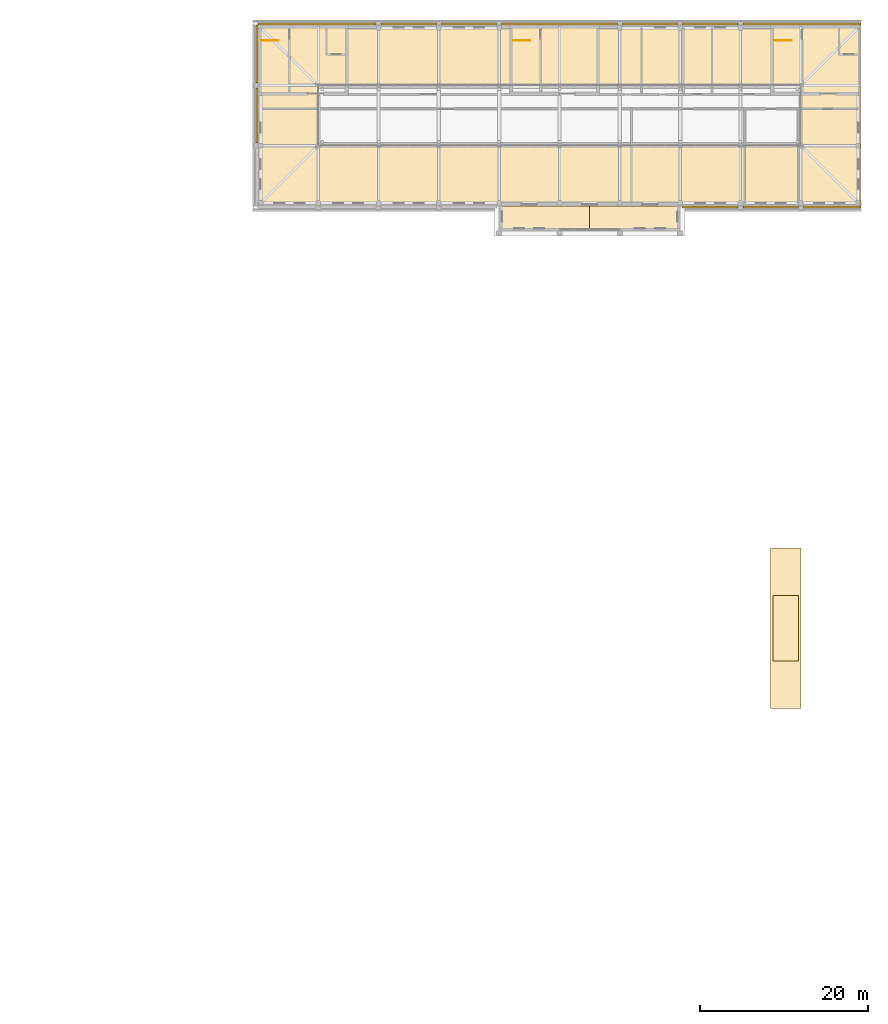
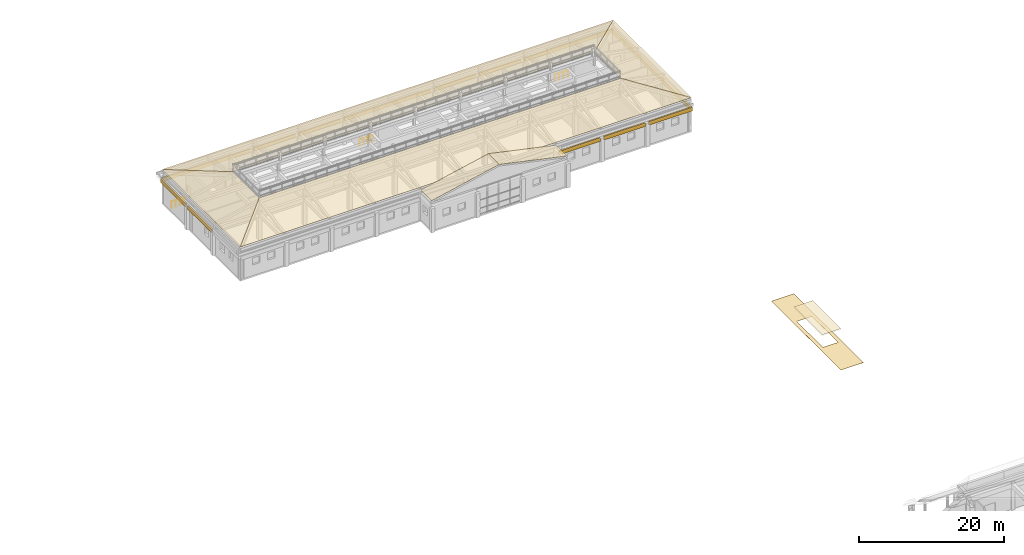
# One storey, part 48 of 48: 21 coverings, 3 railings.
"""IFC4 building model written with IfcOpenShell, lengths in metres."""

from ifc_helpers import new_model, si_unit, direction, frame, frame_2d, origin, origin_2d, place, context, subcontext, project, spatial, polyline, rectangle, circle, outline, extrude, material, layer, layer_set, type_object, element, save


model = new_model("IFC4")

# Units and contexts
model_context = context("Model", 3, precision=1e-05, world=origin(), true_north=direction((0.0, 1.0)))
body_context = subcontext(model_context, "Body", "Model", "MODEL_VIEW")
ifc_project = project(units=[si_unit("LENGTHUNIT", "METRE"), si_unit("AREAUNIT", "SQUARE_METRE"), si_unit("VOLUMEUNIT", "CUBIC_METRE"), si_unit("PLANEANGLEUNIT", "RADIAN"), si_unit("MASSUNIT", "GRAM", prefix="KILO")], contexts=[model_context])

# Site, building, storey
site_placement = place(None, origin())
site = spatial("IfcSite", under=ifc_project, at=site_placement, CompositionType="ELEMENT")
building_placement = place(site_placement, origin())
building = spatial("IfcBuilding", under=site, at=building_placement, Name="Alderwick Market Hall", CompositionType="ELEMENT")
storey_placement = place(building_placement, frame((0.0, 0.0, 14.39990234375)))
storey = spatial("IfcBuildingStorey", under=building, at=storey_placement, Name="L02", CompositionType="ELEMENT", Elevation=14.39990234375)

# Coverings
ifc_material_1 = material(Name="Copper standing seam roofing")
ifc_layer_1 = layer(ifc_material_1, 0.030029296875)
ifc_layer_set_1 = layer_set([ifc_layer_1], Name="Copper standing seam roofing")
covering_type_1 = type_object("IfcCoveringType", Name="F Copper Standing Seam Roofing", PredefinedType="ROOFING", material=ifc_layer_set_1)
covering_1_placement = place(storey_placement, frame((158.39990234375, 129.60009765625, 5.53515625), z_axis=(0.0, -0.197420043229, 0.980318992232), x_axis=(1.0, 0.0, 0.0)))
element("IfcCovering", 1, at=covering_1_placement, inside=storey, type_object=covering_type_1, Name="F.roofing.L02.south", PredefinedType="ROOFING", context=body_context, shape_type="SweptSolid", body=[
    extrude(outline(polyline([(0.0, 0.0), (72.0, 0.0), (64.800048828125, 7.344498299966164), (7.2001953125, 7.344498299966164), (0.0, 0.0)])), origin(), (0.0, 0.0, -1.0), 0.030029296875),
])
covering_2_placement = place(storey_placement, frame((158.39990234375, 151.199951171875, 5.53515625), z_axis=(0.0, 0.197420043229, 0.980318992232), x_axis=(1.0, 0.0, 0.0)))
element("IfcCovering", 2, at=covering_2_placement, inside=storey, type_object=covering_type_1, Name="F.roofing.L02.north", PredefinedType="ROOFING", context=body_context, shape_type="SweptSolid", body=[
    extrude(outline(polyline([(0.0, 0.0), (72.0, 0.0), (64.800048828125, -7.344498299966164), (7.2001953125, -7.344498299966164), (0.0, 0.0)])), origin(), (0.0, 0.0, -1.0), 0.030029296875),
])
covering_3_placement = place(storey_placement, frame((158.39990234375, 129.60009765625, 5.53515625), z_axis=(-0.197413610093, 0.0, 0.980320287738), x_axis=(0.0, 1.0, 0.0)))
element("IfcCovering", 3, at=covering_3_placement, inside=storey, type_object=covering_type_1, Name="F.roofing.L02.west", PredefinedType="ROOFING", context=body_context, shape_type="SweptSolid", body=[
    extrude(outline(polyline([(0.0, 0.0), (21.599853515625, 0.0), (14.39990234375, -7.344737635815773), (7.199951171875, -7.344737635815773), (0.0, 0.0)])), origin(), (0.0, 0.0, -1.0), 0.030029296875),
])
covering_4_placement = place(storey_placement, frame((230.39990234375, 129.60009765625, 5.53515625), z_axis=(0.197420043229, 0.0, 0.980318992232), x_axis=(0.0, 1.0, 0.0)))
element("IfcCovering", 4, at=covering_4_placement, inside=storey, type_object=covering_type_1, Name="F.roofing.L02.east", PredefinedType="ROOFING", context=body_context, shape_type="SweptSolid", body=[
    extrude(outline(polyline([(0.0, 0.0), (21.599853515625, 0.0), (14.39990234375, 7.3444982999661645), (7.199951171875, 7.3444982999661645), (0.0, 0.0)])), origin(), (0.0, 0.0, -1.0), 0.030029296875),
])
for number, where, z_axis, x_axis, name in (
    (5, (187.199951171875, 126.60009765625, 5.0859375), (-0.212118723305, 0.0, 0.977243903651), (0.0, 1.0, 0.0), "F.proofing.L02.1.w"),
    (6, (208.800048828125, 129.60009765625, 5.0859375), (0.212118723305, 0.0, 0.977243903651), (0.0, -1.0, 0.0), "F.proofing.L02.1.e"),
):
    element("IfcCovering", number, at=place(storey_placement, frame(where, z_axis=z_axis, x_axis=x_axis)), inside=storey, type_object=covering_type_1, Name=name, PredefinedType="ROOFING", context=body_context, shape_type="SweptSolid", body=[
        extrude(outline(polyline([(0.0, 0.0), (3.0, 0.0), (3.0, -11.051538707762017), (0.0, -11.051538707762017), (0.0, 0.0)])), origin(), (0.0, 0.0, -1.0), 0.030029296875),
    ])
ifc_material_2 = material(Name="Cast stone 5000 psi", Category="masonry")
ifc_layer_2 = layer(ifc_material_2, 0.25)
ifc_layer_set_2 = layer_set([ifc_layer_2], Name="Cast stone 5000 psi")
covering_type_2 = type_object("IfcCoveringType", Name="F Frieze Cast Stone 250x600", PredefinedType="CLADDING", material=ifc_layer_set_2)
for number, where, z_axis, x_axis, name in (
    (7, (215.699951171875, 129.47509765625, 3.4501953125), (0.0, 0.0, 1.0), (-1.0, 0.0, 0.0), "F.wall.L02.frieze.front.05"),
    (8, (222.89990234375, 129.47509765625, 3.4501953125), (0.0, 0.0, 1.0), (-1.0, 0.0, 0.0), "F.wall.L02.frieze.front.06"),
):
    element("IfcCovering", number, at=place(storey_placement, frame(where, z_axis=z_axis, x_axis=x_axis)), inside=storey, type_object=covering_type_2, Name=name, PredefinedType="CLADDING", context=body_context, shape_type="SweptSolid", body=[
        extrude(rectangle(XDim=6.599853515625, YDim=0.25, at=frame_2d((3.2998046875, 0.0))), origin(), (0.0, 0.0, 1.0), 0.599853515625),
    ])
covering_5_placement = place(storey_placement, frame((230.39990234375, 129.47509765625, 3.4501953125), z_axis=(0.0, 0.0, 1.0), x_axis=(-1.0, 0.0, 0.0)))
element("IfcCovering", 9, at=covering_5_placement, inside=storey, type_object=covering_type_2, Name="F.wall.L02.frieze.front.07", PredefinedType="CLADDING", context=body_context, shape_type="SweptSolid", body=[
    extrude(rectangle(XDim=6.89990234375, YDim=0.25, at=frame_2d((3.449951171875, 0.0))), origin(), (0.0, 0.0, 1.0), 0.599853515625),
])
covering_6_placement = place(storey_placement, frame((158.39990234375, 151.324951171875, 3.4501953125), z_axis=(0.0, 0.0, 1.0), x_axis=(1.0, 0.0, 0.0)))
element("IfcCovering", 10, at=covering_6_placement, inside=storey, type_object=covering_type_2, Name="F.wall.L02.frieze.back.01", PredefinedType="CLADDING", context=body_context, shape_type="SweptSolid", body=[
    extrude(rectangle(XDim=14.10009765625, YDim=0.25, at=frame_2d((7.050048828125, 0.0))), origin(), (0.0, 0.0, 1.0), 0.599853515625),
])
for number, where, z_axis, x_axis, name in (
    (11, (173.10009765625, 151.324951171875, 3.4501953125), (0.0, 0.0, 1.0), (1.0, 0.0, 0.0), "F.wall.L02.frieze.back.02"),
    (12, (180.300048828125, 151.324951171875, 3.4501953125), (0.0, 0.0, 1.0), (1.0, 0.0, 0.0), "F.wall.L02.frieze.back.03"),
):
    element("IfcCovering", number, at=place(storey_placement, frame(where, z_axis=z_axis, x_axis=x_axis)), inside=storey, type_object=covering_type_2, Name=name, PredefinedType="CLADDING", context=body_context, shape_type="SweptSolid", body=[
        extrude(rectangle(XDim=6.599853515625, YDim=0.25, at=frame_2d((3.2998046875, 0.0))), origin(), (0.0, 0.0, 1.0), 0.599853515625),
    ])
covering_7_placement = place(storey_placement, frame((187.5, 151.324951171875, 3.4501953125), z_axis=(0.0, 0.0, 1.0), x_axis=(1.0, 0.0, 0.0)))
element("IfcCovering", 13, at=covering_7_placement, inside=storey, type_object=covering_type_2, Name="F.wall.L02.frieze.back.04", PredefinedType="CLADDING", context=body_context, shape_type="SweptSolid", body=[
    extrude(rectangle(XDim=13.800048828125, YDim=0.25, at=frame_2d((6.89990234375, 0.0))), origin(), (0.0, 0.0, 1.0), 0.599853515625),
])
covering_8_placement = place(storey_placement, frame((201.89990234375, 151.324951171875, 3.4501953125), z_axis=(0.0, 0.0, 1.0), x_axis=(1.0, 0.0, 0.0)))
element("IfcCovering", 14, at=covering_8_placement, inside=storey, type_object=covering_type_2, Name="F.wall.L02.frieze.back.05", PredefinedType="CLADDING", context=body_context, shape_type="SweptSolid", body=[
    extrude(rectangle(XDim=6.60009765625, YDim=0.25, at=frame_2d((3.300048828125, 0.0))), origin(), (0.0, 0.0, 1.0), 0.599853515625),
])
covering_9_placement = place(storey_placement, frame((209.10009765625, 151.324951171875, 3.4501953125), z_axis=(0.0, 0.0, 1.0), x_axis=(1.0, 0.0, 0.0)))
element("IfcCovering", 15, at=covering_9_placement, inside=storey, type_object=covering_type_2, Name="F.wall.L02.frieze.back.06", PredefinedType="CLADDING", context=body_context, shape_type="SweptSolid", body=[
    extrude(rectangle(XDim=6.599853515625, YDim=0.25, at=frame_2d((3.2998046875, 0.0))), origin(), (0.0, 0.0, 1.0), 0.599853515625),
])
covering_10_placement = place(storey_placement, frame((216.300048828125, 151.324951171875, 3.4501953125), z_axis=(0.0, 0.0, 1.0), x_axis=(1.0, 0.0, 0.0)))
element("IfcCovering", 16, at=covering_10_placement, inside=storey, type_object=covering_type_2, Name="F.wall.L02.frieze.back.07", PredefinedType="CLADDING", context=body_context, shape_type="SweptSolid", body=[
    extrude(rectangle(XDim=14.099853515625, YDim=0.25, at=frame_2d((7.0498046875, 0.0))), origin(), (0.0, 0.0, 1.0), 0.599853515625),
])
covering_11_placement = place(storey_placement, frame((158.27490234375, 137.10009765625, 3.4501953125), z_axis=(0.0, 0.0, 1.0), x_axis=(0.0, 1.0, 0.0)))
element("IfcCovering", 17, at=covering_11_placement, inside=storey, type_object=covering_type_2, Name="F.wall.L02.frieze.west.02", PredefinedType="CLADDING", context=body_context, shape_type="SweptSolid", body=[
    extrude(rectangle(XDim=6.599853515625, YDim=0.25, at=frame_2d((3.2998046875, 0.0))), origin(), (0.0, 0.0, 1.0), 0.599853515625),
])
covering_12_placement = place(storey_placement, frame((158.27490234375, 144.300048828125, 3.4501953125), z_axis=(0.0, 0.0, 1.0), x_axis=(0.0, 1.0, 0.0)))
element("IfcCovering", 18, at=covering_12_placement, inside=storey, type_object=covering_type_2, Name="F.wall.L02.frieze.west.03", PredefinedType="CLADDING", context=body_context, shape_type="SweptSolid", body=[
    extrude(rectangle(XDim=6.89990234375, YDim=0.25, at=frame_2d((3.449951171875, 0.0))), origin(), (0.0, 0.0, 1.0), 0.599853515625),
])
covering_13_placement = place(storey_placement, frame((230.27490234375, 151.199951171875, 3.4501953125), z_axis=(0.0, 0.0, 1.0), x_axis=(0.0, -1.0, 0.0)))
element("IfcCovering", 19, at=covering_13_placement, inside=storey, type_object=covering_type_2, Name="F.wall.L02.frieze.east.01", PredefinedType="CLADDING", context=body_context, shape_type="SweptSolid", body=[
    extrude(rectangle(XDim=21.599853515625, YDim=0.25, at=frame_2d((10.7998046875, 0.0))), origin(), (0.0, 0.0, 1.0), 0.599853515625),
])

# Railings
ifc_material_3 = material(Name="Steel ASTM A500 Grade C", Category="steel")
railing_type = type_object("IfcRailingType", Name="F Stair Well Guard 1100", PredefinedType="GUARDRAIL", material=ifc_material_3)
for number, where, name in (
    (20, (158.830078125, 149.35009765625, 0.0), "F.guard.L02.A.well"),
    (21, (188.830078125, 149.35009765625, 0.0), "F.guard.L02.B.well"),
):
    element("IfcRailing", number, at=place(storey_placement, frame(where)), inside=storey, type_object=railing_type, Name=name, PredefinedType="GUARDRAIL", context=body_context, shape_type="SweptSolid", body=[
        extrude(circle(Radius=0.02392578125, at=origin_2d()), frame((0.0, 0.0, 1.076171875), z_axis=(1.0, 0.0, 0.0), x_axis=(0.0, 1.0, 0.0)), (0.0, 0.0, 1.0), 2.0498046875),
        extrude(circle(Radius=0.02099609375, at=origin_2d()), origin(), (0.0, 0.0, 1.0), 1.052001953125),
        extrude(circle(Radius=0.02099609375, at=origin_2d()), frame((0.683349609375, 0.0, 0.0)), (0.0, 0.0, 1.0), 1.052001953125),
        extrude(circle(Radius=0.02099609375, at=origin_2d()), frame((1.366455078125, 0.0, 0.0)), (0.0, 0.0, 1.0), 1.052001953125),
        extrude(circle(Radius=0.02099609375, at=origin_2d()), frame((2.0498046875, 0.0, 0.0)), (0.0, 0.0, 1.0), 1.052001953125),
    ])
railing_placement = place(storey_placement, frame((220.030029296875, 149.35009765625, 0.0)))
element("IfcRailing", 22, at=railing_placement, inside=storey, type_object=railing_type, Name="F.guard.L02.C.well", PredefinedType="GUARDRAIL", context=body_context, shape_type="SweptSolid", body=[
    extrude(circle(Radius=0.02392578125, at=origin_2d()), frame((0.0, 0.0, 1.076171875), z_axis=(1.0, 0.0, 0.0), x_axis=(0.0, 1.0, 0.0)), (0.0, 0.0, 1.0), 2.050048828125),
    extrude(circle(Radius=0.02099609375, at=origin_2d()), origin(), (0.0, 0.0, 1.0), 1.052001953125),
    extrude(circle(Radius=0.02099609375, at=origin_2d()), frame((0.683349609375, 0.0, 0.0)), (0.0, 0.0, 1.0), 1.052001953125),
    extrude(circle(Radius=0.02099609375, at=origin_2d()), frame((1.36669921875, 0.0, 0.0)), (0.0, 0.0, 1.0), 1.052001953125),
    extrude(circle(Radius=0.02099609375, at=origin_2d()), frame((2.050048828125, 0.0, 0.0)), (0.0, 0.0, 1.0), 1.052001953125),
])

# Coverings
ifc_layer_3 = layer(ifc_material_1, 0.00390625)
ifc_layer_set_3 = layer_set([ifc_layer_3], Name="Copper standing seam roofing")
covering_type_3 = type_object("IfcCoveringType", Name="G Copper roofing 4 mm", PredefinedType="ROOFING", material=ifc_layer_set_3)
covering_14_placement = place(storey_placement, frame((0.0, 0.0, -0.278564453125)))
element("IfcCovering", 23, at=covering_14_placement, inside=storey, type_object=covering_type_3, Name="Copper roofing crown", PredefinedType="ROOFING", context=body_context, shape_type="SweptSolid", body=[
    extrude(outline(polyline([(219.60009765625, 69.60009765625), (223.199951171875, 69.60009765625), (223.199951171875, 88.800048828125), (219.60009765625, 88.800048828125), (219.60009765625, 69.60009765625)]), holes=[polyline([(220.199951171875, 75.60009765625), (222.60009765625, 75.60009765625), (222.60009765625, 82.800048828125), (220.199951171875, 82.800048828125), (220.199951171875, 75.60009765625)])]), origin(), (0.0, 0.0, 1.0), 0.00390625),
])
covering_15_placement = place(storey_placement, frame((0.0, 0.0, 2.121337890625)))
element("IfcCovering", 24, at=covering_15_placement, inside=storey, type_object=covering_type_3, Name="Copper roofing lantern", PredefinedType="ROOFING", context=body_context, shape_type="SweptSolid", body=[
    extrude(outline(polyline([(219.89990234375, 75.300048828125), (222.89990234375, 75.300048828125), (222.89990234375, 83.10009765625), (219.89990234375, 83.10009765625), (219.89990234375, 75.300048828125)])), origin(), (0.0, 0.0, 1.0), 0.004150390625),
])

save(model, "model.ifc")
